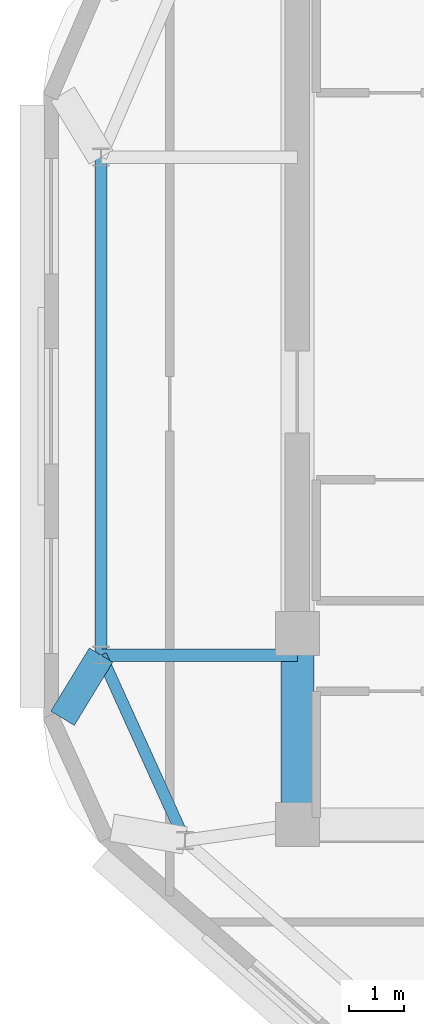
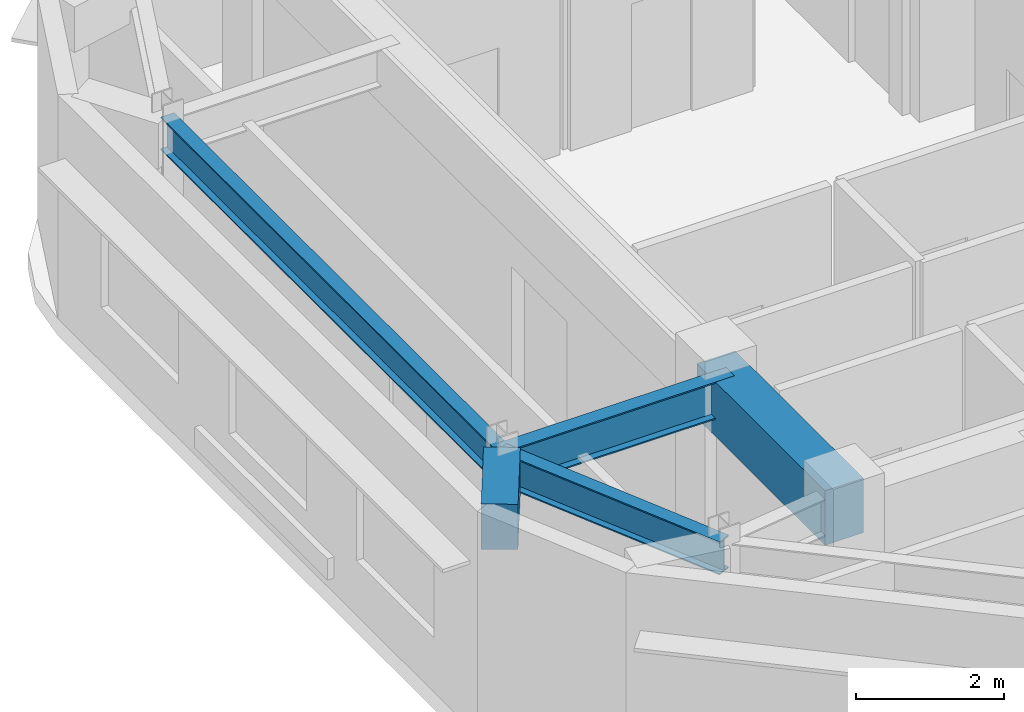
# One storey, part 3 of 13: 5 beams.
"""IFC4 building model written with IfcOpenShell, lengths in metres."""

from ifc_helpers import new_model, si_unit, direction, frame, origin, origin_2d, place, context, subcontext, project, spatial, rectangle, i_section, extrude, material, material_profile, profile_set, type_object, element, save


model = new_model("IFC4")

# Units and contexts
model_context = context("Model", 3, precision=1e-05, world=origin(), true_north=direction((0.0, 1.0)))
body_context = subcontext(model_context, "Body", "Model", "MODEL_VIEW")
ifc_project = project(units=[si_unit("LENGTHUNIT", "METRE"), si_unit("AREAUNIT", "SQUARE_METRE"), si_unit("VOLUMEUNIT", "CUBIC_METRE"), si_unit("PLANEANGLEUNIT", "RADIAN"), si_unit("MASSUNIT", "GRAM", prefix="KILO")], contexts=[model_context])

# Site, building, storey
site_placement = place(None, origin())
site = spatial("IfcSite", under=ifc_project, at=site_placement, CompositionType="ELEMENT")
building_placement = place(site_placement, origin())
building = spatial("IfcBuilding", under=site, at=building_placement, Name="Zulverin Broadcast Headquarters", CompositionType="ELEMENT")
storey_placement = place(building_placement, frame((0.0, 0.0, 333.39990234375)))
storey = spatial("IfcBuildingStorey", under=building, at=storey_placement, Name="C6", CompositionType="ELEMENT", Elevation=333.39990234375)

# Beams
ifc_material_1 = material(Name="Concrete C60/75", Category="concrete")
ifc_material_profile_1 = material_profile(ifc_material_1, rectangle(XDim=0.60009765625, YDim=0.89990234375, at=origin_2d()), Name="Concrete C60/75", Category="concrete")
ifc_profile_set_1 = profile_set([ifc_material_profile_1], Name="Concrete C60/75")
beam_type_1 = type_object("IfcBeamType", Name="BM-CB-600x900", PredefinedType="LINTEL", material=ifc_profile_set_1)
beam_1_placement = place(storey_placement, frame((30.625, 20.800048828125, 3.25), z_axis=(0.0, -1.0, 0.0), x_axis=(1.0, 0.0, 0.0)))
element("IfcBeam", 1, at=beam_1_placement, inside=storey, type_object=beam_type_1, Name="C6 Core Coupling Girder K08-K01", PredefinedType="LINTEL", context=body_context, shape_type="SweptSolid", body=[
    extrude(rectangle(XDim=0.60009765625, YDim=0.89990234375, at=origin_2d()), origin(), (0.0, 0.0, 1.0), 3.47509765625),
])
ifc_material_2 = material(Name="Concrete C40/50", Category="concrete")
ifc_material_profile_2 = material_profile(ifc_material_2, rectangle(XDim=0.5, YDim=0.75, at=origin_2d()), Name="Concrete C40/50", Category="concrete")
ifc_profile_set_2 = profile_set([ifc_material_profile_2], Name="Concrete C40/50")
beam_type_2 = type_object("IfcBeamType", Name="BM-RC-500x750", PredefinedType="BEAM", material=ifc_profile_set_2)
beam_2_placement = place(storey_placement, frame((27.050048828125, 20.40869140625, 3.3251953125), z_axis=(-0.519952700303, -0.854195053514, 0.0), x_axis=(0.854195053514, -0.519952700303, 0.0)))
element("IfcBeam", 2, at=beam_2_placement, inside=storey, type_object=beam_type_2, Name="RF Plate Overhang Back-Spanned Beam OVR-14", PredefinedType="BEAM", context=body_context, shape_type="SweptSolid", body=[
    extrude(rectangle(XDim=0.5, YDim=0.75, at=origin_2d()), origin(), (0.0, 0.0, 1.0), 1.34619140625),
])
ifc_material_3 = material(Name="Structural steel S355JR", Category="steel")
ifc_material_profile_3 = material_profile(ifc_material_3, i_section(OverallWidth=0.2119140625, OverallDepth=0.54443359375, WebThickness=0.0126953125, FlangeThickness=0.021240234375, at=origin_2d()), Name="Structural steel S355JR", Category="steel")
ifc_profile_set_3 = profile_set([ifc_material_profile_3], Name="Structural steel S355JR")
beam_type_3 = type_object("IfcBeamType", Name="BM-UB-533", PredefinedType="SPANDREL", material=ifc_profile_set_3)
beam_3_placement = place(storey_placement, frame((27.050048828125, 29.475830078125, 3.427978515625), z_axis=(0.0, -1.0, 0.0), x_axis=(1.0, 0.0, 0.0)))
element("IfcBeam", 3, at=beam_3_placement, inside=storey, type_object=beam_type_3, Name="C6 Perimeter Spandrel Beam SP-13", PredefinedType="SPANDREL", context=body_context, shape_type="SweptSolid", body=[
    extrude(i_section(OverallWidth=0.2119140625, OverallDepth=0.54443359375, WebThickness=0.0126953125, FlangeThickness=0.021240234375, at=origin_2d()), origin(), (0.0, 0.0, 1.0), 9.067138671875),
])
beam_4_placement = place(storey_placement, frame((27.050048828125, 20.40869140625, 3.427978515625), z_axis=(0.412610751542, -0.910907441902, 0.0), x_axis=(0.910907441902, 0.412610751542, 0.0)))
element("IfcBeam", 4, at=beam_4_placement, inside=storey, type_object=beam_type_3, Name="C6 Perimeter Spandrel Beam SP-14", PredefinedType="SPANDREL", context=body_context, shape_type="SweptSolid", body=[
    extrude(i_section(OverallWidth=0.2119140625, OverallDepth=0.54443359375, WebThickness=0.0126953125, FlangeThickness=0.021240234375, at=origin_2d()), origin(), (0.0, 0.0, 1.0), 3.7041015625),
])
ifc_material_profile_4 = material_profile(ifc_material_3, i_section(OverallWidth=0.230224609375, OverallDepth=0.6171875, WebThickness=0.01318359375, FlangeThickness=0.022216796875, at=origin_2d()), Name="Structural steel S355JR", Category="steel")
ifc_profile_set_4 = profile_set([ifc_material_profile_4], Name="Structural steel S355JR")
beam_type_4 = type_object("IfcBeamType", Name="BM-UB-610", PredefinedType="BEAM", material=ifc_profile_set_4)
beam_5_placement = place(storey_placement, frame((30.625, 20.40869140625, 3.3916015625), z_axis=(-1.0, 0.0, 0.0), x_axis=(0.0, -1.0, 0.0)))
element("IfcBeam", 5, at=beam_5_placement, inside=storey, type_object=beam_type_4, Name="C6 Radial Primary Floor Beam RB-14", PredefinedType="BEAM", context=body_context, shape_type="SweptSolid", body=[
    extrude(i_section(OverallWidth=0.230224609375, OverallDepth=0.6171875, WebThickness=0.01318359375, FlangeThickness=0.022216796875, at=origin_2d()), origin(), (0.0, 0.0, 1.0), 3.574951171875),
])

save(model, "model.ifc")
